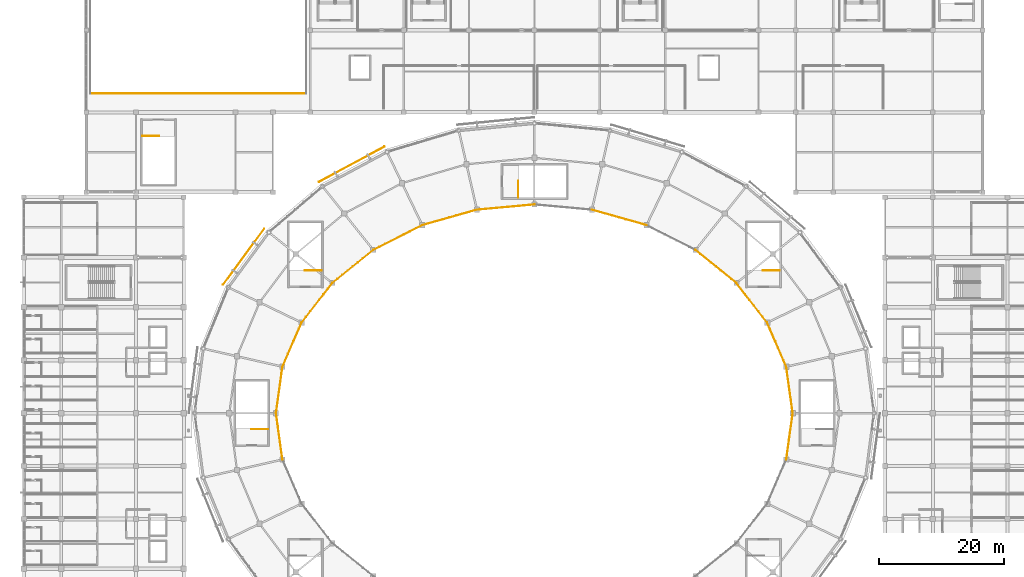
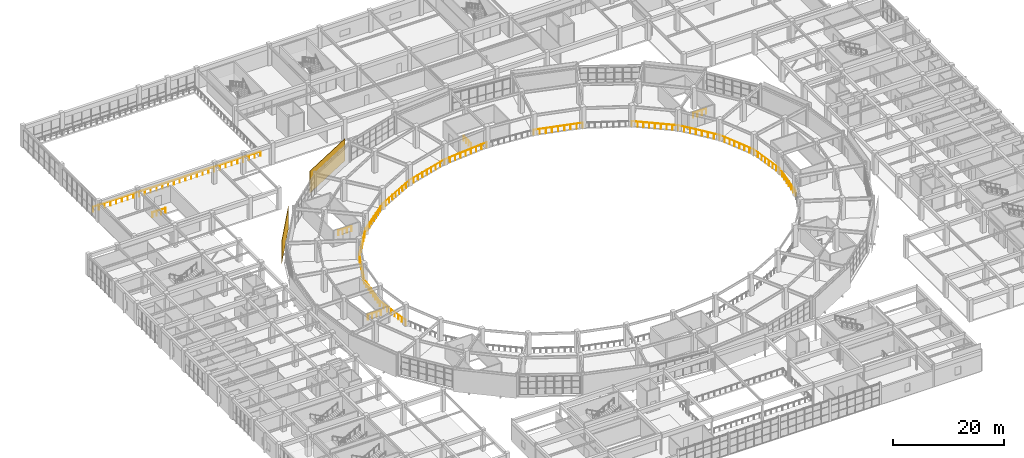
# One storey, part 103 of 112: 20 railings, 2 coverings.
"""IFC4 building model written with IfcOpenShell, lengths in metres."""

from ifc_helpers import new_model, si_unit, direction, frame, frame_2d, origin, origin_2d, place, context, subcontext, project, spatial, rectangle, circle, extrude, material, layer, layer_set, type_object, element, save


model = new_model("IFC4")

# Units and contexts
model_context = context("Model", 3, precision=1e-05, world=origin(), true_north=direction((0.0, 1.0)))
body_context = subcontext(model_context, "Body", "Model", "MODEL_VIEW")
ifc_project = project(units=[si_unit("LENGTHUNIT", "METRE"), si_unit("AREAUNIT", "SQUARE_METRE"), si_unit("VOLUMEUNIT", "CUBIC_METRE"), si_unit("PLANEANGLEUNIT", "RADIAN"), si_unit("MASSUNIT", "GRAM", prefix="KILO")], contexts=[model_context])

# Site, building, storey
site_placement = place(None, origin())
site = spatial("IfcSite", under=ifc_project, at=site_placement, CompositionType="ELEMENT")
building_placement = place(site_placement, origin())
building = spatial("IfcBuilding", under=site, at=building_placement, Name="Cuetzalor Civic Arena", CompositionType="ELEMENT")
storey_placement = place(building_placement, frame((0.0, 0.0, 11.39990234375)))
storey = spatial("IfcBuildingStorey", under=building, at=storey_placement, Name="L02", CompositionType="ELEMENT", Elevation=11.39990234375)

# Railings
ifc_material_1 = material(Name="Reseda-green Steel S355 and laminated glass guard", Category="steel")
railing_type_1 = type_object("IfcRailingType", Name="BowlSightlineGuard_1100", PredefinedType="BALUSTRADE", material=ifc_material_1)
railing_1_placement = place(storey_placement, frame((41.5, 0.0, 0.0)))
element("IfcRailing", 1, at=railing_1_placement, inside=storey, type_object=railing_type_1, Name="Club Gallery Bowl Rim Balustrade S01", PredefinedType="BALUSTRADE", context=body_context, shape_type="SweptSolid", body=[
    extrude(circle(Radius=0.02392578125, at=origin_2d()), frame((0.0, 0.0, 1.076171875), z_axis=(-0.138241906656, 0.990398493155, 0.0), x_axis=(-0.990398493155, -0.138241906656, 0.0)), (0.0, 0.0, 1.0), 7.52685546875),
    extrude(circle(Radius=0.02099609375, at=origin_2d()), origin(), (0.0, 0.0, 1.0), 1.052001953125),
    extrude(circle(Radius=0.02099609375, at=origin_2d()), frame((-0.148681640625, 1.06494140625, 0.0)), (0.0, 0.0, 1.0), 1.052001953125),
    extrude(circle(Radius=0.02099609375, at=origin_2d()), frame((-0.29736328125, 2.1298828125, 0.0)), (0.0, 0.0, 1.0), 1.052001953125),
    extrude(circle(Radius=0.02099609375, at=origin_2d()), frame((-0.446044921875, 3.19482421875, 0.0)), (0.0, 0.0, 1.0), 1.052001953125),
    extrude(circle(Radius=0.02099609375, at=origin_2d()), frame((-0.594482421875, 4.259765625, 0.0)), (0.0, 0.0, 1.0), 1.052001953125),
    extrude(circle(Radius=0.02099609375, at=origin_2d()), frame((-0.7431640625, 5.32470703125, 0.0)), (0.0, 0.0, 1.0), 1.052001953125),
    extrude(circle(Radius=0.02099609375, at=origin_2d()), frame((-0.891845703125, 6.3896484375, 0.0)), (0.0, 0.0, 1.0), 1.052001953125),
    extrude(circle(Radius=0.02099609375, at=origin_2d()), frame((-1.04052734375, 7.45458984375, 0.0)), (0.0, 0.0, 1.0), 1.052001953125),
])
railing_2_placement = place(storey_placement, frame((40.45947265625, 7.45458984375, 0.0)))
element("IfcRailing", 2, at=railing_2_placement, inside=storey, type_object=railing_type_1, Name="Club Gallery Bowl Rim Balustrade S02", PredefinedType="BALUSTRADE", context=body_context, shape_type="SweptSolid", body=[
    extrude(circle(Radius=0.02392578125, at=origin_2d()), frame((0.0, 0.0, 1.076171875), z_axis=(-0.397726401809, 0.917504065007, 0.0), x_axis=(-0.917504065007, -0.397726401809, 0.0)), (0.0, 0.0, 1.0), 7.71728515625),
    extrude(circle(Radius=0.02099609375, at=origin_2d()), origin(), (0.0, 0.0, 1.0), 1.052001953125),
    extrude(circle(Radius=0.02099609375, at=origin_2d()), frame((-0.4384765625, 1.011474609375, 0.0)), (0.0, 0.0, 1.0), 1.052001953125),
    extrude(circle(Radius=0.02099609375, at=origin_2d()), frame((-0.876953125, 2.02294921875, 0.0)), (0.0, 0.0, 1.0), 1.052001953125),
    extrude(circle(Radius=0.02099609375, at=origin_2d()), frame((-1.3154296875, 3.034423828125, 0.0)), (0.0, 0.0, 1.0), 1.052001953125),
    extrude(circle(Radius=0.02099609375, at=origin_2d()), frame((-1.75390625, 4.046142578125, 0.0)), (0.0, 0.0, 1.0), 1.052001953125),
    extrude(circle(Radius=0.02099609375, at=origin_2d()), frame((-2.1923828125, 5.0576171875, 0.0)), (0.0, 0.0, 1.0), 1.052001953125),
    extrude(circle(Radius=0.02099609375, at=origin_2d()), frame((-2.630859375, 6.069091796875, 0.0)), (0.0, 0.0, 1.0), 1.052001953125),
    extrude(circle(Radius=0.02099609375, at=origin_2d()), frame((-3.0693359375, 7.08056640625, 0.0)), (0.0, 0.0, 1.0), 1.052001953125),
])
railing_3_placement = place(storey_placement, frame((37.39013671875, 14.53515625, 0.0)))
element("IfcRailing", 3, at=railing_3_placement, inside=storey, type_object=railing_type_1, Name="Club Gallery Bowl Rim Balustrade S03", PredefinedType="BALUSTRADE", context=body_context, shape_type="SweptSolid", body=[
    extrude(circle(Radius=0.02392578125, at=origin_2d()), frame((0.0, 0.0, 1.076171875), z_axis=(-0.614234549024, 0.78912351301, 0.0), x_axis=(-0.78912351301, -0.614234549024, 0.0)), (0.0, 0.0, 1.0), 8.049072265625),
    extrude(circle(Radius=0.02099609375, at=origin_2d()), origin(), (0.0, 0.0, 1.0), 1.052001953125),
    extrude(circle(Radius=0.02099609375, at=origin_2d()), frame((-0.706298828125, 0.907470703125, 0.0)), (0.0, 0.0, 1.0), 1.052001953125),
    extrude(circle(Radius=0.02099609375, at=origin_2d()), frame((-1.41259765625, 1.814697265625, 0.0)), (0.0, 0.0, 1.0), 1.052001953125),
    extrude(circle(Radius=0.02099609375, at=origin_2d()), frame((-2.118896484375, 2.72216796875, 0.0)), (0.0, 0.0, 1.0), 1.052001953125),
    extrude(circle(Radius=0.02099609375, at=origin_2d()), frame((-2.8251953125, 3.629638671875, 0.0)), (0.0, 0.0, 1.0), 1.052001953125),
    extrude(circle(Radius=0.02099609375, at=origin_2d()), frame((-3.531494140625, 4.537109375, 0.0)), (0.0, 0.0, 1.0), 1.052001953125),
    extrude(circle(Radius=0.02099609375, at=origin_2d()), frame((-4.23779296875, 5.4443359375, 0.0)), (0.0, 0.0, 1.0), 1.052001953125),
    extrude(circle(Radius=0.02099609375, at=origin_2d()), frame((-4.944091796875, 6.351806640625, 0.0)), (0.0, 0.0, 1.0), 1.052001953125),
])
railing_4_placement = place(storey_placement, frame((32.446044921875, 20.886962890625, 0.0)))
element("IfcRailing", 4, at=railing_4_placement, inside=storey, type_object=railing_type_1, Name="Club Gallery Bowl Rim Balustrade S04", PredefinedType="BALUSTRADE", context=body_context, shape_type="SweptSolid", body=[
    extrude(circle(Radius=0.02392578125, at=origin_2d()), frame((0.0, 0.0, 1.076171875), z_axis=(-0.778122678462, 0.628112328539, 0.0), x_axis=(-0.628112328539, -0.778122678462, 0.0)), (0.0, 0.0, 1.0), 8.445068359375),
    extrude(circle(Radius=0.02099609375, at=origin_2d()), origin(), (0.0, 0.0, 1.0), 1.052001953125),
    extrude(circle(Radius=0.02099609375, at=origin_2d()), frame((-0.8212890625, 0.6630859375, 0.0)), (0.0, 0.0, 1.0), 1.052001953125),
    extrude(circle(Radius=0.02099609375, at=origin_2d()), frame((-1.642822265625, 1.326171875, 0.0)), (0.0, 0.0, 1.0), 1.052001953125),
    extrude(circle(Radius=0.02099609375, at=origin_2d()), frame((-2.46435546875, 1.9892578125, 0.0)), (0.0, 0.0, 1.0), 1.052001953125),
    extrude(circle(Radius=0.02099609375, at=origin_2d()), frame((-3.28564453125, 2.65234375, 0.0)), (0.0, 0.0, 1.0), 1.052001953125),
    extrude(circle(Radius=0.02099609375, at=origin_2d()), frame((-4.10693359375, 3.315185546875, 0.0)), (0.0, 0.0, 1.0), 1.052001953125),
    extrude(circle(Radius=0.02099609375, at=origin_2d()), frame((-4.928466796875, 3.978271484375, 0.0)), (0.0, 0.0, 1.0), 1.052001953125),
    extrude(circle(Radius=0.02099609375, at=origin_2d()), frame((-5.75, 4.641357421875, 0.0)), (0.0, 0.0, 1.0), 1.052001953125),
    extrude(circle(Radius=0.02099609375, at=origin_2d()), frame((-6.5712890625, 5.304443359375, 0.0)), (0.0, 0.0, 1.0), 1.052001953125),
])
railing_5_placement = place(storey_placement, frame((18.006103515625, 30.1826171875, 0.0)))
element("IfcRailing", 5, at=railing_5_placement, inside=storey, type_object=railing_type_1, Name="Club Gallery Bowl Rim Balustrade S06", PredefinedType="BALUSTRADE", context=body_context, shape_type="SweptSolid", body=[
    extrude(circle(Radius=0.02392578125, at=origin_2d()), frame((0.0, 0.0, 1.076171875), z_axis=(-0.962348405043, 0.271818960543, 0.0), x_axis=(-0.271818960543, -0.962348405043, 0.0)), (0.0, 0.0, 1.0), 9.11474609375),
    extrude(circle(Radius=0.02099609375, at=origin_2d()), origin(), (0.0, 0.0, 1.0), 1.052001953125),
    extrude(circle(Radius=0.02099609375, at=origin_2d()), frame((-1.096435546875, 0.3095703125, 0.0)), (0.0, 0.0, 1.0), 1.052001953125),
    extrude(circle(Radius=0.02099609375, at=origin_2d()), frame((-2.19287109375, 0.619384765625, 0.0)), (0.0, 0.0, 1.0), 1.052001953125),
    extrude(circle(Radius=0.02099609375, at=origin_2d()), frame((-3.289306640625, 0.92919921875, 0.0)), (0.0, 0.0, 1.0), 1.052001953125),
    extrude(circle(Radius=0.02099609375, at=origin_2d()), frame((-4.3857421875, 1.23876953125, 0.0)), (0.0, 0.0, 1.0), 1.052001953125),
    extrude(circle(Radius=0.02099609375, at=origin_2d()), frame((-5.482177734375, 1.54833984375, 0.0)), (0.0, 0.0, 1.0), 1.052001953125),
    extrude(circle(Radius=0.02099609375, at=origin_2d()), frame((-6.57861328125, 1.858154296875, 0.0)), (0.0, 0.0, 1.0), 1.052001953125),
    extrude(circle(Radius=0.02099609375, at=origin_2d()), frame((-7.675048828125, 2.16796875, 0.0)), (0.0, 0.0, 1.0), 1.052001953125),
    extrude(circle(Radius=0.02099609375, at=origin_2d()), frame((-8.771484375, 2.4775390625, 0.0)), (0.0, 0.0, 1.0), 1.052001953125),
])
railing_6_placement = place(storey_placement, frame((0.0, 33.5, 0.0)))
element("IfcRailing", 6, at=railing_6_placement, inside=storey, type_object=railing_type_1, Name="Club Gallery Bowl Rim Balustrade S08", PredefinedType="BALUSTRADE", context=body_context, shape_type="SweptSolid", body=[
    extrude(circle(Radius=0.02392578125, at=origin_2d()), frame((0.0, 0.0, 1.076171875), z_axis=(-0.995889968673, -0.090571354719, 0.0), x_axis=(0.090571354719, -0.995889968673, 0.0)), (0.0, 0.0, 1.0), 9.272705078125),
    extrude(circle(Radius=0.02099609375, at=origin_2d()), origin(), (0.0, 0.0, 1.0), 1.052001953125),
    extrude(circle(Radius=0.02099609375, at=origin_2d()), frame((-1.154296875, -0.10498046875, 0.0)), (0.0, 0.0, 1.0), 1.052001953125),
    extrude(circle(Radius=0.02099609375, at=origin_2d()), frame((-2.30859375, -0.2099609375, 0.0)), (0.0, 0.0, 1.0), 1.052001953125),
    extrude(circle(Radius=0.02099609375, at=origin_2d()), frame((-3.462890625, -0.31494140625, 0.0)), (0.0, 0.0, 1.0), 1.052001953125),
    extrude(circle(Radius=0.02099609375, at=origin_2d()), frame((-4.6171875, -0.419921875, 0.0)), (0.0, 0.0, 1.0), 1.052001953125),
    extrude(circle(Radius=0.02099609375, at=origin_2d()), frame((-5.771728515625, -0.52490234375, 0.0)), (0.0, 0.0, 1.0), 1.052001953125),
    extrude(circle(Radius=0.02099609375, at=origin_2d()), frame((-6.926025390625, -0.6298828125, 0.0)), (0.0, 0.0, 1.0), 1.052001953125),
    extrude(circle(Radius=0.02099609375, at=origin_2d()), frame((-8.080322265625, -0.73486328125, 0.0)), (0.0, 0.0, 1.0), 1.052001953125),
    extrude(circle(Radius=0.02099609375, at=origin_2d()), frame((-9.234619140625, -0.83984375, 0.0)), (0.0, 0.0, 1.0), 1.052001953125),
])
railing_7_placement = place(storey_placement, frame((-9.234619140625, 32.66015625, 0.0)))
element("IfcRailing", 7, at=railing_7_placement, inside=storey, type_object=railing_type_1, Name="Club Gallery Bowl Rim Balustrade S09", PredefinedType="BALUSTRADE", context=body_context, shape_type="SweptSolid", body=[
    extrude(circle(Radius=0.02392578125, at=origin_2d()), frame((0.0, 0.0, 1.076171875), z_axis=(-0.962348405043, -0.271818960543, 0.0), x_axis=(0.271818960543, -0.962348405043, 0.0)), (0.0, 0.0, 1.0), 9.11474609375),
    extrude(circle(Radius=0.02099609375, at=origin_2d()), origin(), (0.0, 0.0, 1.0), 1.052001953125),
    extrude(circle(Radius=0.02099609375, at=origin_2d()), frame((-1.096435546875, -0.3095703125, 0.0)), (0.0, 0.0, 1.0), 1.052001953125),
    extrude(circle(Radius=0.02099609375, at=origin_2d()), frame((-2.19287109375, -0.619384765625, 0.0)), (0.0, 0.0, 1.0), 1.052001953125),
    extrude(circle(Radius=0.02099609375, at=origin_2d()), frame((-3.289306640625, -0.92919921875, 0.0)), (0.0, 0.0, 1.0), 1.052001953125),
    extrude(circle(Radius=0.02099609375, at=origin_2d()), frame((-4.3857421875, -1.23876953125, 0.0)), (0.0, 0.0, 1.0), 1.052001953125),
    extrude(circle(Radius=0.02099609375, at=origin_2d()), frame((-5.482177734375, -1.54833984375, 0.0)), (0.0, 0.0, 1.0), 1.052001953125),
    extrude(circle(Radius=0.02099609375, at=origin_2d()), frame((-6.57861328125, -1.858154296875, 0.0)), (0.0, 0.0, 1.0), 1.052001953125),
    extrude(circle(Radius=0.02099609375, at=origin_2d()), frame((-7.675048828125, -2.16796875, 0.0)), (0.0, 0.0, 1.0), 1.052001953125),
    extrude(circle(Radius=0.02099609375, at=origin_2d()), frame((-8.771484375, -2.4775390625, 0.0)), (0.0, 0.0, 1.0), 1.052001953125),
])
railing_8_placement = place(storey_placement, frame((-18.006103515625, 30.1826171875, 0.0)))
element("IfcRailing", 8, at=railing_8_placement, inside=storey, type_object=railing_type_1, Name="Club Gallery Bowl Rim Balustrade S10", PredefinedType="BALUSTRADE", context=body_context, shape_type="SweptSolid", body=[
    extrude(circle(Radius=0.02392578125, at=origin_2d()), frame((0.0, 0.0, 1.076171875), z_axis=(-0.891833390372, -0.452364016935, 0.0), x_axis=(0.452364016935, -0.891833390372, 0.0)), (0.0, 0.0, 1.0), 8.822998046875),
    extrude(circle(Radius=0.02099609375, at=origin_2d()), origin(), (0.0, 0.0, 1.0), 1.052001953125),
    extrude(circle(Radius=0.02099609375, at=origin_2d()), frame((-0.983642578125, -0.4990234375, 0.0)), (0.0, 0.0, 1.0), 1.052001953125),
    extrude(circle(Radius=0.02099609375, at=origin_2d()), frame((-1.96728515625, -0.997802734375, 0.0)), (0.0, 0.0, 1.0), 1.052001953125),
    extrude(circle(Radius=0.02099609375, at=origin_2d()), frame((-2.95068359375, -1.49658203125, 0.0)), (0.0, 0.0, 1.0), 1.052001953125),
    extrude(circle(Radius=0.02099609375, at=origin_2d()), frame((-3.934326171875, -1.99560546875, 0.0)), (0.0, 0.0, 1.0), 1.052001953125),
    extrude(circle(Radius=0.02099609375, at=origin_2d()), frame((-4.91796875, -2.49462890625, 0.0)), (0.0, 0.0, 1.0), 1.052001953125),
    extrude(circle(Radius=0.02099609375, at=origin_2d()), frame((-5.9013671875, -2.993408203125, 0.0)), (0.0, 0.0, 1.0), 1.052001953125),
    extrude(circle(Radius=0.02099609375, at=origin_2d()), frame((-6.885009765625, -3.4921875, 0.0)), (0.0, 0.0, 1.0), 1.052001953125),
    extrude(circle(Radius=0.02099609375, at=origin_2d()), frame((-7.86865234375, -3.9912109375, 0.0)), (0.0, 0.0, 1.0), 1.052001953125),
])
railing_9_placement = place(storey_placement, frame((-25.874755859375, 26.19140625, 0.0)))
element("IfcRailing", 9, at=railing_9_placement, inside=storey, type_object=railing_type_1, Name="Club Gallery Bowl Rim Balustrade S11", PredefinedType="BALUSTRADE", context=body_context, shape_type="SweptSolid", body=[
    extrude(circle(Radius=0.02392578125, at=origin_2d()), frame((0.0, 0.0, 1.076171875), z_axis=(-0.778122678462, -0.628112328539, 0.0), x_axis=(0.628112328539, -0.778122678462, 0.0)), (0.0, 0.0, 1.0), 8.445068359375),
    extrude(circle(Radius=0.02099609375, at=origin_2d()), origin(), (0.0, 0.0, 1.0), 1.052001953125),
    extrude(circle(Radius=0.02099609375, at=origin_2d()), frame((-0.8212890625, -0.6630859375, 0.0)), (0.0, 0.0, 1.0), 1.052001953125),
    extrude(circle(Radius=0.02099609375, at=origin_2d()), frame((-1.642822265625, -1.326171875, 0.0)), (0.0, 0.0, 1.0), 1.052001953125),
    extrude(circle(Radius=0.02099609375, at=origin_2d()), frame((-2.46435546875, -1.9892578125, 0.0)), (0.0, 0.0, 1.0), 1.052001953125),
    extrude(circle(Radius=0.02099609375, at=origin_2d()), frame((-3.28564453125, -2.65234375, 0.0)), (0.0, 0.0, 1.0), 1.052001953125),
    extrude(circle(Radius=0.02099609375, at=origin_2d()), frame((-4.10693359375, -3.315185546875, 0.0)), (0.0, 0.0, 1.0), 1.052001953125),
    extrude(circle(Radius=0.02099609375, at=origin_2d()), frame((-4.928466796875, -3.978271484375, 0.0)), (0.0, 0.0, 1.0), 1.052001953125),
    extrude(circle(Radius=0.02099609375, at=origin_2d()), frame((-5.75, -4.641357421875, 0.0)), (0.0, 0.0, 1.0), 1.052001953125),
    extrude(circle(Radius=0.02099609375, at=origin_2d()), frame((-6.5712890625, -5.304443359375, 0.0)), (0.0, 0.0, 1.0), 1.052001953125),
])
railing_10_placement = place(storey_placement, frame((-32.446044921875, 20.886962890625, 0.0)))
element("IfcRailing", 10, at=railing_10_placement, inside=storey, type_object=railing_type_1, Name="Club Gallery Bowl Rim Balustrade S12", PredefinedType="BALUSTRADE", context=body_context, shape_type="SweptSolid", body=[
    extrude(circle(Radius=0.02392578125, at=origin_2d()), frame((0.0, 0.0, 1.076171875), z_axis=(-0.614234549024, -0.78912351301, 0.0), x_axis=(0.78912351301, -0.614234549024, 0.0)), (0.0, 0.0, 1.0), 8.049072265625),
    extrude(circle(Radius=0.02099609375, at=origin_2d()), origin(), (0.0, 0.0, 1.0), 1.052001953125),
    extrude(circle(Radius=0.02099609375, at=origin_2d()), frame((-0.706298828125, -0.907470703125, 0.0)), (0.0, 0.0, 1.0), 1.052001953125),
    extrude(circle(Radius=0.02099609375, at=origin_2d()), frame((-1.41259765625, -1.814697265625, 0.0)), (0.0, 0.0, 1.0), 1.052001953125),
    extrude(circle(Radius=0.02099609375, at=origin_2d()), frame((-2.118896484375, -2.72216796875, 0.0)), (0.0, 0.0, 1.0), 1.052001953125),
    extrude(circle(Radius=0.02099609375, at=origin_2d()), frame((-2.8251953125, -3.629638671875, 0.0)), (0.0, 0.0, 1.0), 1.052001953125),
    extrude(circle(Radius=0.02099609375, at=origin_2d()), frame((-3.531494140625, -4.537109375, 0.0)), (0.0, 0.0, 1.0), 1.052001953125),
    extrude(circle(Radius=0.02099609375, at=origin_2d()), frame((-4.23779296875, -5.4443359375, 0.0)), (0.0, 0.0, 1.0), 1.052001953125),
    extrude(circle(Radius=0.02099609375, at=origin_2d()), frame((-4.944091796875, -6.351806640625, 0.0)), (0.0, 0.0, 1.0), 1.052001953125),
])
railing_11_placement = place(storey_placement, frame((-37.39013671875, 14.53515625, 0.0)))
element("IfcRailing", 11, at=railing_11_placement, inside=storey, type_object=railing_type_1, Name="Club Gallery Bowl Rim Balustrade S13", PredefinedType="BALUSTRADE", context=body_context, shape_type="SweptSolid", body=[
    extrude(circle(Radius=0.02392578125, at=origin_2d()), frame((0.0, 0.0, 1.076171875), z_axis=(-0.397726401809, -0.917504065007, 0.0), x_axis=(0.917504065007, -0.397726401809, 0.0)), (0.0, 0.0, 1.0), 7.71728515625),
    extrude(circle(Radius=0.02099609375, at=origin_2d()), origin(), (0.0, 0.0, 1.0), 1.052001953125),
    extrude(circle(Radius=0.02099609375, at=origin_2d()), frame((-0.4384765625, -1.011474609375, 0.0)), (0.0, 0.0, 1.0), 1.052001953125),
    extrude(circle(Radius=0.02099609375, at=origin_2d()), frame((-0.876953125, -2.02294921875, 0.0)), (0.0, 0.0, 1.0), 1.052001953125),
    extrude(circle(Radius=0.02099609375, at=origin_2d()), frame((-1.3154296875, -3.034423828125, 0.0)), (0.0, 0.0, 1.0), 1.052001953125),
    extrude(circle(Radius=0.02099609375, at=origin_2d()), frame((-1.75390625, -4.046142578125, 0.0)), (0.0, 0.0, 1.0), 1.052001953125),
    extrude(circle(Radius=0.02099609375, at=origin_2d()), frame((-2.1923828125, -5.0576171875, 0.0)), (0.0, 0.0, 1.0), 1.052001953125),
    extrude(circle(Radius=0.02099609375, at=origin_2d()), frame((-2.630859375, -6.069091796875, 0.0)), (0.0, 0.0, 1.0), 1.052001953125),
    extrude(circle(Radius=0.02099609375, at=origin_2d()), frame((-3.0693359375, -7.08056640625, 0.0)), (0.0, 0.0, 1.0), 1.052001953125),
])
railing_12_placement = place(storey_placement, frame((-40.45947265625, 7.45458984375, 0.0)))
element("IfcRailing", 12, at=railing_12_placement, inside=storey, type_object=railing_type_1, Name="Club Gallery Bowl Rim Balustrade S14", PredefinedType="BALUSTRADE", context=body_context, shape_type="SweptSolid", body=[
    extrude(circle(Radius=0.02392578125, at=origin_2d()), frame((0.0, 0.0, 1.076171875), z_axis=(-0.138241906656, -0.990398493155, 0.0), x_axis=(0.990398493155, -0.138241906656, 0.0)), (0.0, 0.0, 1.0), 7.52685546875),
    extrude(circle(Radius=0.02099609375, at=origin_2d()), origin(), (0.0, 0.0, 1.0), 1.052001953125),
    extrude(circle(Radius=0.02099609375, at=origin_2d()), frame((-0.148681640625, -1.06494140625, 0.0)), (0.0, 0.0, 1.0), 1.052001953125),
    extrude(circle(Radius=0.02099609375, at=origin_2d()), frame((-0.29736328125, -2.1298828125, 0.0)), (0.0, 0.0, 1.0), 1.052001953125),
    extrude(circle(Radius=0.02099609375, at=origin_2d()), frame((-0.446044921875, -3.19482421875, 0.0)), (0.0, 0.0, 1.0), 1.052001953125),
    extrude(circle(Radius=0.02099609375, at=origin_2d()), frame((-0.594482421875, -4.259765625, 0.0)), (0.0, 0.0, 1.0), 1.052001953125),
    extrude(circle(Radius=0.02099609375, at=origin_2d()), frame((-0.7431640625, -5.32470703125, 0.0)), (0.0, 0.0, 1.0), 1.052001953125),
    extrude(circle(Radius=0.02099609375, at=origin_2d()), frame((-0.891845703125, -6.3896484375, 0.0)), (0.0, 0.0, 1.0), 1.052001953125),
    extrude(circle(Radius=0.02099609375, at=origin_2d()), frame((-1.04052734375, -7.45458984375, 0.0)), (0.0, 0.0, 1.0), 1.052001953125),
])
railing_13_placement = place(storey_placement, frame((-41.5, 0.0, 0.0)))
element("IfcRailing", 13, at=railing_13_placement, inside=storey, type_object=railing_type_1, Name="Club Gallery Bowl Rim Balustrade S15", PredefinedType="BALUSTRADE", context=body_context, shape_type="SweptSolid", body=[
    extrude(circle(Radius=0.02392578125, at=origin_2d()), frame((0.0, 0.0, 1.076171875), z_axis=(0.138241906656, -0.990398493155, 0.0), x_axis=(0.990398493155, 0.138241906656, 0.0)), (0.0, 0.0, 1.0), 7.52685546875),
    extrude(circle(Radius=0.02099609375, at=origin_2d()), origin(), (0.0, 0.0, 1.0), 1.052001953125),
    extrude(circle(Radius=0.02099609375, at=origin_2d()), frame((0.148681640625, -1.06494140625, 0.0)), (0.0, 0.0, 1.0), 1.052001953125),
    extrude(circle(Radius=0.02099609375, at=origin_2d()), frame((0.29736328125, -2.1298828125, 0.0)), (0.0, 0.0, 1.0), 1.052001953125),
    extrude(circle(Radius=0.02099609375, at=origin_2d()), frame((0.446044921875, -3.19482421875, 0.0)), (0.0, 0.0, 1.0), 1.052001953125),
    extrude(circle(Radius=0.02099609375, at=origin_2d()), frame((0.594482421875, -4.259765625, 0.0)), (0.0, 0.0, 1.0), 1.052001953125),
    extrude(circle(Radius=0.02099609375, at=origin_2d()), frame((0.7431640625, -5.32470703125, 0.0)), (0.0, 0.0, 1.0), 1.052001953125),
    extrude(circle(Radius=0.02099609375, at=origin_2d()), frame((0.891845703125, -6.3896484375, 0.0)), (0.0, 0.0, 1.0), 1.052001953125),
    extrude(circle(Radius=0.02099609375, at=origin_2d()), frame((1.04052734375, -7.45458984375, 0.0)), (0.0, 0.0, 1.0), 1.052001953125),
])
railing_14_placement = place(storey_placement, frame((40.45947265625, -7.45458984375, 0.0)))
element("IfcRailing", 14, at=railing_14_placement, inside=storey, type_object=railing_type_1, Name="Club Gallery Bowl Rim Balustrade S28", PredefinedType="BALUSTRADE", context=body_context, shape_type="SweptSolid", body=[
    extrude(circle(Radius=0.02392578125, at=origin_2d()), frame((0.0, 0.0, 1.076171875), z_axis=(0.138241906656, 0.990398493155, 0.0), x_axis=(-0.990398493155, 0.138241906656, 0.0)), (0.0, 0.0, 1.0), 7.52685546875),
    extrude(circle(Radius=0.02099609375, at=origin_2d()), origin(), (0.0, 0.0, 1.0), 1.052001953125),
    extrude(circle(Radius=0.02099609375, at=origin_2d()), frame((0.148681640625, 1.06494140625, 0.0)), (0.0, 0.0, 1.0), 1.052001953125),
    extrude(circle(Radius=0.02099609375, at=origin_2d()), frame((0.29736328125, 2.1298828125, 0.0)), (0.0, 0.0, 1.0), 1.052001953125),
    extrude(circle(Radius=0.02099609375, at=origin_2d()), frame((0.446044921875, 3.19482421875, 0.0)), (0.0, 0.0, 1.0), 1.052001953125),
    extrude(circle(Radius=0.02099609375, at=origin_2d()), frame((0.594482421875, 4.259765625, 0.0)), (0.0, 0.0, 1.0), 1.052001953125),
    extrude(circle(Radius=0.02099609375, at=origin_2d()), frame((0.7431640625, 5.32470703125, 0.0)), (0.0, 0.0, 1.0), 1.052001953125),
    extrude(circle(Radius=0.02099609375, at=origin_2d()), frame((0.891845703125, 6.3896484375, 0.0)), (0.0, 0.0, 1.0), 1.052001953125),
    extrude(circle(Radius=0.02099609375, at=origin_2d()), frame((1.04052734375, 7.45458984375, 0.0)), (0.0, 0.0, 1.0), 1.052001953125),
])
ifc_material_2 = material(Name="Reseda-green architectural Steel S355 balustrade", Category="steel")
railing_type_2 = type_object("IfcRailingType", Name="InteriorVoidBalustrade_1100", PredefinedType="BALUSTRADE", material=ifc_material_2)
railing_15_placement = place(storey_placement, frame((39.39990234375, 22.89990234375, 0.0)))
element("IfcRailing", 15, at=railing_15_placement, inside=storey, type_object=railing_type_2, Name="L02 ST-02 top well guard 1", PredefinedType="BALUSTRADE", context=body_context, shape_type="SweptSolid", body=[
    extrude(circle(Radius=0.02392578125, at=origin_2d()), frame((0.0, 0.0, 1.0810546875), z_axis=(-1.0, 0.0, 0.0), x_axis=(0.0, -1.0, 0.0)), (0.0, 0.0, 1.0), 2.699951171875),
    extrude(circle(Radius=0.02099609375, at=origin_2d()), origin(), (0.0, 0.0, 1.0), 1.056884765625),
    extrude(circle(Radius=0.02099609375, at=origin_2d()), frame((-0.89990234375, 0.0, 0.0)), (0.0, 0.0, 1.0), 1.056884765625),
    extrude(circle(Radius=0.02099609375, at=origin_2d()), frame((-1.800048828125, 0.0, 0.0)), (0.0, 0.0, 1.0), 1.056884765625),
    extrude(circle(Radius=0.02099609375, at=origin_2d()), frame((-2.699951171875, 0.0, 0.0)), (0.0, 0.0, 1.0), 1.056884765625),
])
railing_16_placement = place(storey_placement, frame((-2.60009765625, 34.60009765625, 0.0)))
element("IfcRailing", 16, at=railing_16_placement, inside=storey, type_object=railing_type_2, Name="L02 ST-03 top well guard 1", PredefinedType="BALUSTRADE", context=body_context, shape_type="SweptSolid", body=[
    extrude(circle(Radius=0.02392578125, at=origin_2d()), frame((0.0, 0.0, 1.0810546875), z_axis=(0.0, 1.0, 0.0), x_axis=(-1.0, 0.0, 0.0)), (0.0, 0.0, 1.0), 2.699951171875),
    extrude(circle(Radius=0.02099609375, at=origin_2d()), origin(), (0.0, 0.0, 1.0), 1.056884765625),
    extrude(circle(Radius=0.02099609375, at=origin_2d()), frame((0.0, 0.89990234375, 0.0)), (0.0, 0.0, 1.0), 1.056884765625),
    extrude(circle(Radius=0.02099609375, at=origin_2d()), frame((0.0, 1.800048828125, 0.0)), (0.0, 0.0, 1.0), 1.056884765625),
    extrude(circle(Radius=0.02099609375, at=origin_2d()), frame((0.0, 2.699951171875, 0.0)), (0.0, 0.0, 1.0), 1.056884765625),
])
for number, where, name in (
    (17, (-34.199951171875, 22.89990234375, 0.0), "L02 ST-04 top well guard 1"),
    (18, (-42.800048828125, -2.60009765625, 0.0), "L02 ST-05 top well guard 1"),
):
    element("IfcRailing", number, at=place(storey_placement, frame(where)), inside=storey, type_object=railing_type_2, Name=name, PredefinedType="BALUSTRADE", context=body_context, shape_type="SweptSolid", body=[
        extrude(circle(Radius=0.02392578125, at=origin_2d()), frame((0.0, 0.0, 1.0810546875), z_axis=(-1.0, 0.0, 0.0), x_axis=(0.0, -1.0, 0.0)), (0.0, 0.0, 1.0), 2.699951171875),
        extrude(circle(Radius=0.02099609375, at=origin_2d()), origin(), (0.0, 0.0, 1.0), 1.056884765625),
        extrude(circle(Radius=0.02099609375, at=origin_2d()), frame((-0.89990234375, 0.0, 0.0)), (0.0, 0.0, 1.0), 1.056884765625),
        extrude(circle(Radius=0.02099609375, at=origin_2d()), frame((-1.800048828125, 0.0, 0.0)), (0.0, 0.0, 1.0), 1.056884765625),
        extrude(circle(Radius=0.02099609375, at=origin_2d()), frame((-2.699951171875, 0.0, 0.0)), (0.0, 0.0, 1.0), 1.056884765625),
    ])
railing_17_placement = place(storey_placement, frame((-63.0, 44.5, 0.0)))
element("IfcRailing", 19, at=railing_17_placement, inside=storey, type_object=railing_type_2, Name="L02 ST-23 top well guard 1", PredefinedType="BALUSTRADE", context=body_context, shape_type="SweptSolid", body=[
    extrude(circle(Radius=0.02392578125, at=origin_2d()), frame((0.0, 0.0, 1.0810546875), z_axis=(1.0, 0.0, 0.0), x_axis=(0.0, 1.0, 0.0)), (0.0, 0.0, 1.0), 2.699951171875),
    extrude(circle(Radius=0.02099609375, at=origin_2d()), origin(), (0.0, 0.0, 1.0), 1.056884765625),
    extrude(circle(Radius=0.02099609375, at=origin_2d()), frame((0.89990234375, 0.0, 0.0)), (0.0, 0.0, 1.0), 1.056884765625),
    extrude(circle(Radius=0.02099609375, at=origin_2d()), frame((1.800048828125, 0.0, 0.0)), (0.0, 0.0, 1.0), 1.056884765625),
    extrude(circle(Radius=0.02099609375, at=origin_2d()), frame((2.699951171875, 0.0, 0.0)), (0.0, 0.0, 1.0), 1.056884765625),
])
railing_18_placement = place(storey_placement, frame((-71.35009765625, 51.35009765625, 0.0)))
element("IfcRailing", 20, at=railing_18_placement, inside=storey, type_object=railing_type_2, Name="Practice Court Mezzanine Void Balustrade L02-1", PredefinedType="BALUSTRADE", context=body_context, shape_type="SweptSolid", body=[
    extrude(circle(Radius=0.02392578125, at=origin_2d()), frame((0.0, 0.0, 1.076171875), z_axis=(1.0, 0.0, 0.0), x_axis=(0.0, 1.0, 0.0)), (0.0, 0.0, 1.0), 34.7001953125),
    extrude(circle(Radius=0.02099609375, at=origin_2d()), origin(), (0.0, 0.0, 1.0), 1.052001953125),
    extrude(circle(Radius=0.02099609375, at=origin_2d()), frame((1.196533203125, 0.0, 0.0)), (0.0, 0.0, 1.0), 1.052001953125),
    extrude(circle(Radius=0.02099609375, at=origin_2d()), frame((2.39306640625, 0.0, 0.0)), (0.0, 0.0, 1.0), 1.052001953125),
    extrude(circle(Radius=0.02099609375, at=origin_2d()), frame((3.589599609375, 0.0, 0.0)), (0.0, 0.0, 1.0), 1.052001953125),
    extrude(circle(Radius=0.02099609375, at=origin_2d()), frame((4.7861328125, 0.0, 0.0)), (0.0, 0.0, 1.0), 1.052001953125),
    extrude(circle(Radius=0.02099609375, at=origin_2d()), frame((5.98291015625, 0.0, 0.0)), (0.0, 0.0, 1.0), 1.052001953125),
    extrude(circle(Radius=0.02099609375, at=origin_2d()), frame((7.179443359375, 0.0, 0.0)), (0.0, 0.0, 1.0), 1.052001953125),
    extrude(circle(Radius=0.02099609375, at=origin_2d()), frame((8.3759765625, 0.0, 0.0)), (0.0, 0.0, 1.0), 1.052001953125),
    extrude(circle(Radius=0.02099609375, at=origin_2d()), frame((9.572509765625, 0.0, 0.0)), (0.0, 0.0, 1.0), 1.052001953125),
    extrude(circle(Radius=0.02099609375, at=origin_2d()), frame((10.76904296875, 0.0, 0.0)), (0.0, 0.0, 1.0), 1.052001953125),
    extrude(circle(Radius=0.02099609375, at=origin_2d()), frame((11.965576171875, 0.0, 0.0)), (0.0, 0.0, 1.0), 1.052001953125),
    extrude(circle(Radius=0.02099609375, at=origin_2d()), frame((13.162109375, 0.0, 0.0)), (0.0, 0.0, 1.0), 1.052001953125),
    extrude(circle(Radius=0.02099609375, at=origin_2d()), frame((14.358642578125, 0.0, 0.0)), (0.0, 0.0, 1.0), 1.052001953125),
    extrude(circle(Radius=0.02099609375, at=origin_2d()), frame((15.55517578125, 0.0, 0.0)), (0.0, 0.0, 1.0), 1.052001953125),
    extrude(circle(Radius=0.02099609375, at=origin_2d()), frame((16.751708984375, 0.0, 0.0)), (0.0, 0.0, 1.0), 1.052001953125),
    extrude(circle(Radius=0.02099609375, at=origin_2d()), frame((17.948486328125, 0.0, 0.0)), (0.0, 0.0, 1.0), 1.052001953125),
    extrude(circle(Radius=0.02099609375, at=origin_2d()), frame((19.14501953125, 0.0, 0.0)), (0.0, 0.0, 1.0), 1.052001953125),
    extrude(circle(Radius=0.02099609375, at=origin_2d()), frame((20.341552734375, 0.0, 0.0)), (0.0, 0.0, 1.0), 1.052001953125),
    extrude(circle(Radius=0.02099609375, at=origin_2d()), frame((21.5380859375, 0.0, 0.0)), (0.0, 0.0, 1.0), 1.052001953125),
    extrude(circle(Radius=0.02099609375, at=origin_2d()), frame((22.734619140625, 0.0, 0.0)), (0.0, 0.0, 1.0), 1.052001953125),
    extrude(circle(Radius=0.02099609375, at=origin_2d()), frame((23.93115234375, 0.0, 0.0)), (0.0, 0.0, 1.0), 1.052001953125),
    extrude(circle(Radius=0.02099609375, at=origin_2d()), frame((25.127685546875, 0.0, 0.0)), (0.0, 0.0, 1.0), 1.052001953125),
    extrude(circle(Radius=0.02099609375, at=origin_2d()), frame((26.32421875, 0.0, 0.0)), (0.0, 0.0, 1.0), 1.052001953125),
    extrude(circle(Radius=0.02099609375, at=origin_2d()), frame((27.520751953125, 0.0, 0.0)), (0.0, 0.0, 1.0), 1.052001953125),
    extrude(circle(Radius=0.02099609375, at=origin_2d()), frame((28.71728515625, 0.0, 0.0)), (0.0, 0.0, 1.0), 1.052001953125),
    extrude(circle(Radius=0.02099609375, at=origin_2d()), frame((29.9140625, 0.0, 0.0)), (0.0, 0.0, 1.0), 1.052001953125),
    extrude(circle(Radius=0.02099609375, at=origin_2d()), frame((31.110595703125, 0.0, 0.0)), (0.0, 0.0, 1.0), 1.052001953125),
    extrude(circle(Radius=0.02099609375, at=origin_2d()), frame((32.30712890625, 0.0, 0.0)), (0.0, 0.0, 1.0), 1.052001953125),
    extrude(circle(Radius=0.02099609375, at=origin_2d()), frame((33.503662109375, 0.0, 0.0)), (0.0, 0.0, 1.0), 1.052001953125),
    extrude(circle(Radius=0.02099609375, at=origin_2d()), frame((34.7001953125, 0.0, 0.0)), (0.0, 0.0, 1.0), 1.052001953125),
])

# Coverings
ifc_material_3 = material(Name="Terracotta-red perforated anodised aluminium panel", Category="masonry")
ifc_layer = layer(ifc_material_3, 0.080078125)
ifc_layer_set = layer_set([ifc_layer], Name="Terracotta-red perforated anodised aluminium panel")
covering_type = type_object("IfcCoveringType", Name="TerracottaPerforatedScreenPanel", PredefinedType="CLADDING", material=ifc_layer_set)
covering_1_placement = place(storey_placement, frame((-34.603759765625, 37.136962890625, -0.139892578125), z_axis=(0.0, 0.0, 1.0), x_axis=(0.880729476331, 0.473619667584, 0.0)))
element("IfcCovering", 21, at=covering_1_placement, inside=storey, type_object=covering_type, Name="Terracotta Perforated Drum Screen L02-S10", PredefinedType="CLADDING", context=body_context, shape_type="SweptSolid", body=[
    extrude(rectangle(XDim=11.9482421875, YDim=0.080078125, at=frame_2d((5.97412109375, 0.0))), origin(), (0.0, 0.0, 1.0), 4.820068359375),
])
covering_2_placement = place(storey_placement, frame((-50.00390625, 20.609619140625, -0.139892578125), z_axis=(0.0, 0.0, 1.0), x_axis=(0.591819224601, 0.806070719846, 0.0)))
element("IfcCovering", 22, at=covering_2_placement, inside=storey, type_object=covering_type, Name="Terracotta Perforated Drum Screen L02-S12", PredefinedType="CLADDING", context=body_context, shape_type="SweptSolid", body=[
    extrude(rectangle(XDim=11.1728515625, YDim=0.080078125, at=frame_2d((5.58642578125, 0.0))), origin(), (0.0, 0.0, 1.0), 4.820068359375),
])

save(model, "model.ifc")
